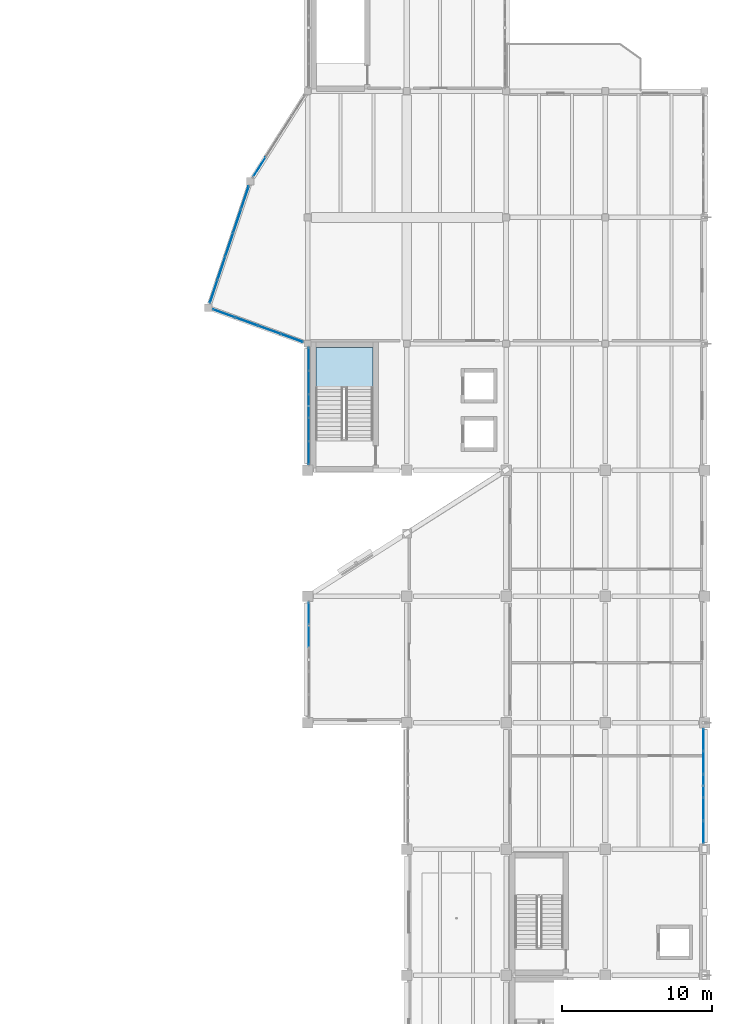
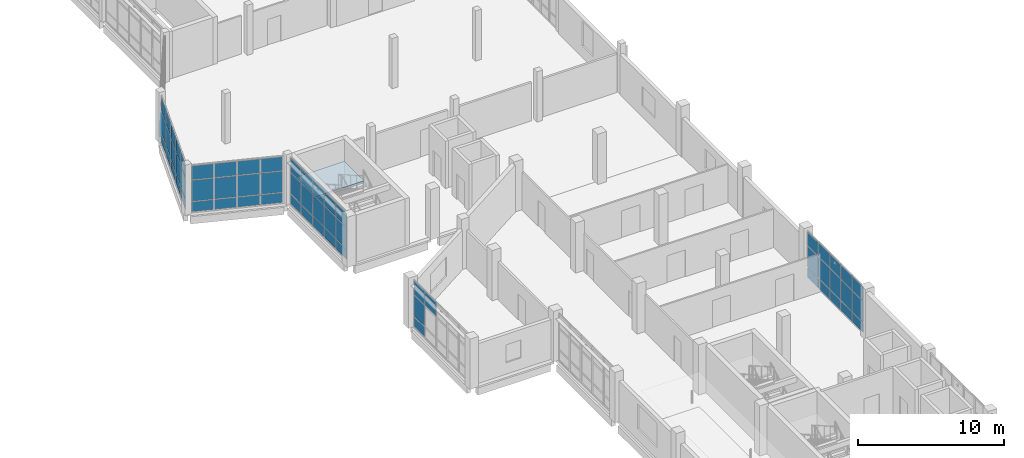
# One storey, part 39 of 74: 62 plates, 1 slab, 7 elements without a shape of their own.
"""IFC4 building model written with IfcOpenShell, lengths in metres."""

from ifc_helpers import new_model, si_unit, direction, frame, origin, origin_2d, place, context, subcontext, project, spatial, polyline, rectangle, outline, extrude, material, layer, layer_set, type_object, element, aggregate, save


model = new_model("IFC4")

# Units and contexts
model_context = context("Model", 3, precision=1e-05, world=origin(), true_north=direction((0.0, 1.0)))
body_context = subcontext(model_context, "Body", "Model", "MODEL_VIEW")
ifc_project = project(units=[si_unit("LENGTHUNIT", "METRE"), si_unit("AREAUNIT", "SQUARE_METRE"), si_unit("VOLUMEUNIT", "CUBIC_METRE"), si_unit("PLANEANGLEUNIT", "RADIAN"), si_unit("MASSUNIT", "GRAM", prefix="KILO")], contexts=[model_context])

# Site, building, storey
site_placement = place(None, origin())
site = spatial("IfcSite", under=ifc_project, at=site_placement, CompositionType="ELEMENT")
building_placement = place(site_placement, origin())
building = spatial("IfcBuilding", under=site, at=building_placement, Name="Qaldarim Faculty of Natural and Applied Sciences", CompositionType="ELEMENT")
storey_placement = place(building_placement, frame((0.0, 0.0, 14.39990234375)))
storey = spatial("IfcBuildingStorey", under=building, at=storey_placement, Name="L03", CompositionType="ELEMENT", Elevation=14.39990234375)

# Curtain wall, plates
ifc_material_1 = material(Name="Anodised aluminium AW-6063", Category="aluminium")
curtain_wall_type_1 = type_object("IfcCurtainWallType", Name="CurtainWallSystem-M1700", PredefinedType="USERDEFINED", material=ifc_material_1)
curtain_wall_1_placement = place(storey_placement, origin())
curtain_wall_1 = element("IfcCurtainWall", 1, at=curtain_wall_1_placement, inside=storey, type_object=curtain_wall_type_1, Name="Curtain wall CW-L03-W-X24Y06", ObjectType="UNITISED FACADE", PredefinedType="USERDEFINED")
ifc_material_2 = material(Name="Insulated low-e double glazing", Category="glass")
ifc_layer_1 = layer(ifc_material_2, 0.031982421875)
ifc_layer_set_1 = layer_set([ifc_layer_1], Name="Insulated low-e double glazing")
plate_type_1 = type_object("IfcPlateType", Name="SolarControlGlazingPanel-32", PredefinedType="CURTAIN_PANEL", material=ifc_layer_set_1)
plate_1_placement = place(storey_placement, frame((151.8798828125, 49.2666015625, 0.070068359375), z_axis=(0.0, 0.0, 1.0), x_axis=(0.0, -1.0, 0.0)))
plate_1 = element("IfcPlate", 2, at=plate_1_placement, type_object=plate_type_1, Name="Glazed panel 1-1 of CW-L03-W-X24Y06", PredefinedType="CURTAIN_PANEL", context=body_context, shape_type="SweptSolid", body=[
    extrude(rectangle(XDim=1.43701171875, YDim=0.031982421875, at=origin_2d()), origin(), (0.0, 0.0, 1.0), 0.794921875),
])
plate_2_placement = place(storey_placement, frame((151.8798828125, 49.2666015625, 0.93505859375), z_axis=(0.0, 0.0, 1.0), x_axis=(0.0, -1.0, 0.0)))
plate_2 = element("IfcPlate", 3, at=plate_2_placement, type_object=plate_type_1, Name="Glazed panel 1-2 of CW-L03-W-X24Y06", PredefinedType="CURTAIN_PANEL", context=body_context, shape_type="SweptSolid", body=[
    extrude(rectangle(XDim=1.43701171875, YDim=0.031982421875, at=origin_2d()), origin(), (0.0, 0.0, 1.0), 1.72998046875),
])
plate_3_placement = place(storey_placement, frame((151.8798828125, 49.2666015625, 2.73486328125), z_axis=(0.0, 0.0, 1.0), x_axis=(0.0, -1.0, 0.0)))
plate_3 = element("IfcPlate", 4, at=plate_3_placement, type_object=plate_type_1, Name="Glazed panel 1-3 of CW-L03-W-X24Y06", PredefinedType="CURTAIN_PANEL", context=body_context, shape_type="SweptSolid", body=[
    extrude(rectangle(XDim=1.43701171875, YDim=0.031982421875, at=origin_2d()), origin(), (0.0, 0.0, 1.0), 1.135009765625),
])
plate_4_placement = place(storey_placement, frame((151.8798828125, 47.741943359375, 2.73486328125), z_axis=(0.0, 0.0, 1.0), x_axis=(0.0, -1.0, 0.0)))
plate_4 = element("IfcPlate", 5, at=plate_4_placement, type_object=plate_type_1, Name="Glazed panel 2-3 of CW-L03-W-X24Y06", PredefinedType="CURTAIN_PANEL", context=body_context, shape_type="SweptSolid", body=[
    extrude(rectangle(XDim=1.471923828125, YDim=0.031982421875, at=origin_2d()), origin(), (0.0, 0.0, 1.0), 1.135009765625),
])
aggregate(curtain_wall_1, [plate_1, plate_2, plate_3, plate_4])

curtain_wall_2_placement = place(storey_placement, origin())
curtain_wall_2 = element("IfcCurtainWall", 6, at=curtain_wall_2_placement, inside=storey, type_object=curtain_wall_type_1, Name="Curtain wall CW-L03-E-X27Y05", ObjectType="UNITISED FACADE", PredefinedType="USERDEFINED")
plate_5_placement = place(storey_placement, frame((178.1201171875, 34.7333984375, 0.070068359375), z_axis=(0.0, 0.0, 1.0), x_axis=(0.0, 1.0, 0.0)))
plate_5 = element("IfcPlate", 7, at=plate_5_placement, type_object=plate_type_1, Name="Glazed panel 1-1 of CW-L03-E-X27Y05", PredefinedType="CURTAIN_PANEL", context=body_context, shape_type="SweptSolid", body=[
    extrude(rectangle(XDim=1.43701171875, YDim=0.031982421875, at=origin_2d()), origin(), (0.0, 0.0, 1.0), 0.794921875),
])
plate_6_placement = place(storey_placement, frame((178.1201171875, 34.7333984375, 0.93505859375), z_axis=(0.0, 0.0, 1.0), x_axis=(0.0, 1.0, 0.0)))
plate_6 = element("IfcPlate", 8, at=plate_6_placement, type_object=plate_type_1, Name="Glazed panel 1-2 of CW-L03-E-X27Y05", PredefinedType="CURTAIN_PANEL", context=body_context, shape_type="SweptSolid", body=[
    extrude(rectangle(XDim=1.43701171875, YDim=0.031982421875, at=origin_2d()), origin(), (0.0, 0.0, 1.0), 1.72998046875),
])
plate_7_placement = place(storey_placement, frame((178.1201171875, 34.7333984375, 2.73486328125), z_axis=(0.0, 0.0, 1.0), x_axis=(0.0, 1.0, 0.0)))
plate_7 = element("IfcPlate", 9, at=plate_7_placement, type_object=plate_type_1, Name="Glazed panel 1-3 of CW-L03-E-X27Y05", PredefinedType="CURTAIN_PANEL", context=body_context, shape_type="SweptSolid", body=[
    extrude(rectangle(XDim=1.43701171875, YDim=0.031982421875, at=origin_2d()), origin(), (0.0, 0.0, 1.0), 1.135009765625),
])
plate_8_placement = place(storey_placement, frame((178.1201171875, 36.258056640625, 0.070068359375), z_axis=(0.0, 0.0, 1.0), x_axis=(0.0, 1.0, 0.0)))
plate_8 = element("IfcPlate", 10, at=plate_8_placement, type_object=plate_type_1, Name="Glazed panel 2-1 of CW-L03-E-X27Y05", PredefinedType="CURTAIN_PANEL", context=body_context, shape_type="SweptSolid", body=[
    extrude(rectangle(XDim=1.471923828125, YDim=0.031982421875, at=origin_2d()), origin(), (0.0, 0.0, 1.0), 0.794921875),
])
plate_9_placement = place(storey_placement, frame((178.1201171875, 36.258056640625, 0.93505859375), z_axis=(0.0, 0.0, 1.0), x_axis=(0.0, 1.0, 0.0)))
plate_9 = element("IfcPlate", 11, at=plate_9_placement, type_object=plate_type_1, Name="Glazed panel 2-2 of CW-L03-E-X27Y05", PredefinedType="CURTAIN_PANEL", context=body_context, shape_type="SweptSolid", body=[
    extrude(rectangle(XDim=1.471923828125, YDim=0.031982421875, at=origin_2d()), origin(), (0.0, 0.0, 1.0), 1.72998046875),
])
plate_10_placement = place(storey_placement, frame((178.1201171875, 36.258056640625, 2.73486328125), z_axis=(0.0, 0.0, 1.0), x_axis=(0.0, 1.0, 0.0)))
plate_10 = element("IfcPlate", 12, at=plate_10_placement, type_object=plate_type_1, Name="Glazed panel 2-3 of CW-L03-E-X27Y05", PredefinedType="CURTAIN_PANEL", context=body_context, shape_type="SweptSolid", body=[
    extrude(rectangle(XDim=1.471923828125, YDim=0.031982421875, at=origin_2d()), origin(), (0.0, 0.0, 1.0), 1.135009765625),
])
plate_11_placement = place(storey_placement, frame((178.1201171875, 37.800048828125, 0.070068359375), z_axis=(0.0, 0.0, 1.0), x_axis=(0.0, 1.0, 0.0)))
plate_11 = element("IfcPlate", 13, at=plate_11_placement, type_object=plate_type_1, Name="Glazed panel 3-1 of CW-L03-E-X27Y05", PredefinedType="CURTAIN_PANEL", context=body_context, shape_type="SweptSolid", body=[
    extrude(rectangle(XDim=1.471923828125, YDim=0.031982421875, at=origin_2d()), origin(), (0.0, 0.0, 1.0), 0.794921875),
])
plate_12_placement = place(storey_placement, frame((178.1201171875, 37.800048828125, 0.93505859375), z_axis=(0.0, 0.0, 1.0), x_axis=(0.0, 1.0, 0.0)))
plate_12 = element("IfcPlate", 14, at=plate_12_placement, type_object=plate_type_1, Name="Glazed panel 3-2 of CW-L03-E-X27Y05", PredefinedType="CURTAIN_PANEL", context=body_context, shape_type="SweptSolid", body=[
    extrude(rectangle(XDim=1.471923828125, YDim=0.031982421875, at=origin_2d()), origin(), (0.0, 0.0, 1.0), 1.72998046875),
])
plate_13_placement = place(storey_placement, frame((178.1201171875, 37.800048828125, 2.73486328125), z_axis=(0.0, 0.0, 1.0), x_axis=(0.0, 1.0, 0.0)))
plate_13 = element("IfcPlate", 15, at=plate_13_placement, type_object=plate_type_1, Name="Glazed panel 3-3 of CW-L03-E-X27Y05", PredefinedType="CURTAIN_PANEL", context=body_context, shape_type="SweptSolid", body=[
    extrude(rectangle(XDim=1.471923828125, YDim=0.031982421875, at=origin_2d()), origin(), (0.0, 0.0, 1.0), 1.135009765625),
])
plate_14_placement = place(storey_placement, frame((178.1201171875, 39.342041015625, 0.070068359375), z_axis=(0.0, 0.0, 1.0), x_axis=(0.0, 1.0, 0.0)))
plate_14 = element("IfcPlate", 16, at=plate_14_placement, type_object=plate_type_1, Name="Glazed panel 4-1 of CW-L03-E-X27Y05", PredefinedType="CURTAIN_PANEL", context=body_context, shape_type="SweptSolid", body=[
    extrude(rectangle(XDim=1.471923828125, YDim=0.031982421875, at=origin_2d()), origin(), (0.0, 0.0, 1.0), 0.794921875),
])
plate_15_placement = place(storey_placement, frame((178.1201171875, 39.342041015625, 0.93505859375), z_axis=(0.0, 0.0, 1.0), x_axis=(0.0, 1.0, 0.0)))
plate_15 = element("IfcPlate", 17, at=plate_15_placement, type_object=plate_type_1, Name="Glazed panel 4-2 of CW-L03-E-X27Y05", PredefinedType="CURTAIN_PANEL", context=body_context, shape_type="SweptSolid", body=[
    extrude(rectangle(XDim=1.471923828125, YDim=0.031982421875, at=origin_2d()), origin(), (0.0, 0.0, 1.0), 1.72998046875),
])
plate_16_placement = place(storey_placement, frame((178.1201171875, 39.342041015625, 2.73486328125), z_axis=(0.0, 0.0, 1.0), x_axis=(0.0, 1.0, 0.0)))
plate_16 = element("IfcPlate", 18, at=plate_16_placement, type_object=plate_type_1, Name="Glazed panel 4-3 of CW-L03-E-X27Y05", PredefinedType="CURTAIN_PANEL", context=body_context, shape_type="SweptSolid", body=[
    extrude(rectangle(XDim=1.471923828125, YDim=0.031982421875, at=origin_2d()), origin(), (0.0, 0.0, 1.0), 1.135009765625),
])
plate_17_placement = place(storey_placement, frame((178.1201171875, 40.866455078125, 0.070068359375), z_axis=(0.0, 0.0, 1.0), x_axis=(0.0, 1.0, 0.0)))
plate_17 = element("IfcPlate", 19, at=plate_17_placement, type_object=plate_type_1, Name="Glazed panel 5-1 of CW-L03-E-X27Y05", PredefinedType="CURTAIN_PANEL", context=body_context, shape_type="SweptSolid", body=[
    extrude(rectangle(XDim=1.43701171875, YDim=0.031982421875, at=origin_2d()), origin(), (0.0, 0.0, 1.0), 0.794921875),
])
plate_18_placement = place(storey_placement, frame((178.1201171875, 40.866455078125, 0.93505859375), z_axis=(0.0, 0.0, 1.0), x_axis=(0.0, 1.0, 0.0)))
plate_18 = element("IfcPlate", 20, at=plate_18_placement, type_object=plate_type_1, Name="Glazed panel 5-2 of CW-L03-E-X27Y05", PredefinedType="CURTAIN_PANEL", context=body_context, shape_type="SweptSolid", body=[
    extrude(rectangle(XDim=1.43701171875, YDim=0.031982421875, at=origin_2d()), origin(), (0.0, 0.0, 1.0), 1.72998046875),
])
plate_19_placement = place(storey_placement, frame((178.1201171875, 40.866455078125, 2.73486328125), z_axis=(0.0, 0.0, 1.0), x_axis=(0.0, 1.0, 0.0)))
plate_19 = element("IfcPlate", 21, at=plate_19_placement, type_object=plate_type_1, Name="Glazed panel 5-3 of CW-L03-E-X27Y05", PredefinedType="CURTAIN_PANEL", context=body_context, shape_type="SweptSolid", body=[
    extrude(rectangle(XDim=1.43701171875, YDim=0.031982421875, at=origin_2d()), origin(), (0.0, 0.0, 1.0), 1.135009765625),
])
aggregate(curtain_wall_2, [plate_5, plate_6, plate_7, plate_8, plate_9, plate_10, plate_11, plate_12, plate_13, plate_14, plate_15, plate_16, plate_17, plate_18, plate_19])

# Stair, slab
ifc_material_3 = material(Name="Concrete C40/50", Category="concrete")
stair_type = type_object("IfcStairType", Name="DoglegStair-W1800-H4200-26R", PredefinedType="HALF_TURN_STAIR", material=ifc_material_3)
stair_placement = place(storey_placement, origin())
stair = element("IfcStair", 22, at=stair_placement, inside=storey, type_object=stair_type, Name="Enclosed exit stair ST-C1 L03", PredefinedType="HALF_TURN_STAIR")
ifc_layer_2 = layer(ifc_material_3, 0.2099609375)
ifc_layer_set_2 = layer_set([ifc_layer_2], Name="Concrete C40/50")
slab_type = type_object("IfcSlabType", Name="StairLandingSlab-210", PredefinedType="LANDING", material=ifc_layer_set_2)
slab_placement = place(storey_placement, frame((0.0, 0.0, 1.89013671875)))
slab = element("IfcSlab", 23, at=slab_placement, type_object=slab_type, Name="ST-C1 L03 half-landing 1", PredefinedType="LANDING", context=body_context, shape_type="SweptSolid", body=[
    extrude(outline(polyline([(156.14990234375, 64.2548828125), (156.14990234375, 66.949951171875), (152.35009765625, 66.949951171875), (152.35009765625, 64.2548828125), (156.14990234375, 64.2548828125)])), origin(), (0.0, 0.0, 1.0), 0.2099609375),
])
aggregate(stair, [slab])

# Curtain wall, plates
curtain_wall_type_2 = type_object("IfcCurtainWallType", Name="CurtainWallSystem-M1600", PredefinedType="USERDEFINED", material=ifc_material_1)
curtain_wall_3_placement = place(storey_placement, origin())
curtain_wall_3 = element("IfcCurtainWall", 24, at=curtain_wall_3_placement, inside=storey, type_object=curtain_wall_type_2, Name="Curtain wall CW-L03-W-X24Y08", ObjectType="UNITISED FACADE", PredefinedType="USERDEFINED")
ifc_layer_3 = layer(ifc_material_2, 0.028076171875)
ifc_layer_set_3 = layer_set([ifc_layer_3], Name="Insulated low-e double glazing")
plate_type_2 = type_object("IfcPlateType", Name="VisionGlazingPanel-28", PredefinedType="CURTAIN_PANEL", material=ifc_layer_set_3)
plate_20_placement = place(storey_placement, frame((151.8798828125, 66.181396484375, 0.06005859375), z_axis=(0.0, 0.0, 1.0), x_axis=(0.0, -1.0, 0.0)))
plate_20 = element("IfcPlate", 25, at=plate_20_placement, type_object=plate_type_2, Name="Glazed panel 1-1 of CW-L03-W-X24Y08", PredefinedType="CURTAIN_PANEL", context=body_context, shape_type="SweptSolid", body=[
    extrude(rectangle(XDim=1.47705078125, YDim=0.028076171875, at=origin_2d()), origin(), (0.0, 0.0, 1.0), 0.81005859375),
])
plate_21_placement = place(storey_placement, frame((151.8798828125, 66.181396484375, 0.93017578125), z_axis=(0.0, 0.0, 1.0), x_axis=(0.0, -1.0, 0.0)))
plate_21 = element("IfcPlate", 26, at=plate_21_placement, type_object=plate_type_2, Name="Glazed panel 1-2 of CW-L03-W-X24Y08", PredefinedType="CURTAIN_PANEL", context=body_context, shape_type="SweptSolid", body=[
    extrude(rectangle(XDim=1.47705078125, YDim=0.028076171875, at=origin_2d()), origin(), (0.0, 0.0, 1.0), 1.739990234375),
])
plate_22_placement = place(storey_placement, frame((151.8798828125, 66.181396484375, 2.730224609375), z_axis=(0.0, 0.0, 1.0), x_axis=(0.0, -1.0, 0.0)))
plate_22 = element("IfcPlate", 27, at=plate_22_placement, type_object=plate_type_2, Name="Glazed panel 1-3 of CW-L03-W-X24Y08", PredefinedType="CURTAIN_PANEL", context=body_context, shape_type="SweptSolid", body=[
    extrude(rectangle(XDim=1.47705078125, YDim=0.028076171875, at=origin_2d()), origin(), (0.0, 0.0, 1.0), 1.14990234375),
])
plate_23_placement = place(storey_placement, frame((151.8798828125, 64.62939453125, 0.06005859375), z_axis=(0.0, 0.0, 1.0), x_axis=(0.0, -1.0, 0.0)))
plate_23 = element("IfcPlate", 28, at=plate_23_placement, type_object=plate_type_2, Name="Glazed panel 2-1 of CW-L03-W-X24Y08", PredefinedType="CURTAIN_PANEL", context=body_context, shape_type="SweptSolid", body=[
    extrude(rectangle(XDim=1.507080078125, YDim=0.028076171875, at=origin_2d()), origin(), (0.0, 0.0, 1.0), 0.81005859375),
])
plate_24_placement = place(storey_placement, frame((151.8798828125, 64.62939453125, 0.93017578125), z_axis=(0.0, 0.0, 1.0), x_axis=(0.0, -1.0, 0.0)))
plate_24 = element("IfcPlate", 29, at=plate_24_placement, type_object=plate_type_2, Name="Glazed panel 2-2 of CW-L03-W-X24Y08", PredefinedType="CURTAIN_PANEL", context=body_context, shape_type="SweptSolid", body=[
    extrude(rectangle(XDim=1.507080078125, YDim=0.028076171875, at=origin_2d()), origin(), (0.0, 0.0, 1.0), 1.739990234375),
])
plate_25_placement = place(storey_placement, frame((151.8798828125, 64.62939453125, 2.730224609375), z_axis=(0.0, 0.0, 1.0), x_axis=(0.0, -1.0, 0.0)))
plate_25 = element("IfcPlate", 30, at=plate_25_placement, type_object=plate_type_2, Name="Glazed panel 2-3 of CW-L03-W-X24Y08", PredefinedType="CURTAIN_PANEL", context=body_context, shape_type="SweptSolid", body=[
    extrude(rectangle(XDim=1.507080078125, YDim=0.028076171875, at=origin_2d()), origin(), (0.0, 0.0, 1.0), 1.14990234375),
])
plate_26_placement = place(storey_placement, frame((151.8798828125, 63.0625, 0.06005859375), z_axis=(0.0, 0.0, 1.0), x_axis=(0.0, -1.0, 0.0)))
plate_26 = element("IfcPlate", 31, at=plate_26_placement, type_object=plate_type_2, Name="Glazed panel 3-1 of CW-L03-W-X24Y08", PredefinedType="CURTAIN_PANEL", context=body_context, shape_type="SweptSolid", body=[
    extrude(rectangle(XDim=1.507080078125, YDim=0.028076171875, at=origin_2d()), origin(), (0.0, 0.0, 1.0), 0.81005859375),
])
plate_27_placement = place(storey_placement, frame((151.8798828125, 63.0625, 0.93017578125), z_axis=(0.0, 0.0, 1.0), x_axis=(0.0, -1.0, 0.0)))
plate_27 = element("IfcPlate", 32, at=plate_27_placement, type_object=plate_type_2, Name="Glazed panel 3-2 of CW-L03-W-X24Y08", PredefinedType="CURTAIN_PANEL", context=body_context, shape_type="SweptSolid", body=[
    extrude(rectangle(XDim=1.507080078125, YDim=0.028076171875, at=origin_2d()), origin(), (0.0, 0.0, 1.0), 1.739990234375),
])
plate_28_placement = place(storey_placement, frame((151.8798828125, 63.0625, 2.730224609375), z_axis=(0.0, 0.0, 1.0), x_axis=(0.0, -1.0, 0.0)))
plate_28 = element("IfcPlate", 33, at=plate_28_placement, type_object=plate_type_2, Name="Glazed panel 3-3 of CW-L03-W-X24Y08", PredefinedType="CURTAIN_PANEL", context=body_context, shape_type="SweptSolid", body=[
    extrude(rectangle(XDim=1.507080078125, YDim=0.028076171875, at=origin_2d()), origin(), (0.0, 0.0, 1.0), 1.14990234375),
])
plate_29_placement = place(storey_placement, frame((151.8798828125, 61.49560546875, 0.06005859375), z_axis=(0.0, 0.0, 1.0), x_axis=(0.0, -1.0, 0.0)))
plate_29 = element("IfcPlate", 34, at=plate_29_placement, type_object=plate_type_2, Name="Glazed panel 4-1 of CW-L03-W-X24Y08", PredefinedType="CURTAIN_PANEL", context=body_context, shape_type="SweptSolid", body=[
    extrude(rectangle(XDim=1.507080078125, YDim=0.028076171875, at=origin_2d()), origin(), (0.0, 0.0, 1.0), 0.81005859375),
])
plate_30_placement = place(storey_placement, frame((151.8798828125, 61.49560546875, 0.93017578125), z_axis=(0.0, 0.0, 1.0), x_axis=(0.0, -1.0, 0.0)))
plate_30 = element("IfcPlate", 35, at=plate_30_placement, type_object=plate_type_2, Name="Glazed panel 4-2 of CW-L03-W-X24Y08", PredefinedType="CURTAIN_PANEL", context=body_context, shape_type="SweptSolid", body=[
    extrude(rectangle(XDim=1.507080078125, YDim=0.028076171875, at=origin_2d()), origin(), (0.0, 0.0, 1.0), 1.739990234375),
])
plate_31_placement = place(storey_placement, frame((151.8798828125, 61.49560546875, 2.730224609375), z_axis=(0.0, 0.0, 1.0), x_axis=(0.0, -1.0, 0.0)))
plate_31 = element("IfcPlate", 36, at=plate_31_placement, type_object=plate_type_2, Name="Glazed panel 4-3 of CW-L03-W-X24Y08", PredefinedType="CURTAIN_PANEL", context=body_context, shape_type="SweptSolid", body=[
    extrude(rectangle(XDim=1.507080078125, YDim=0.028076171875, at=origin_2d()), origin(), (0.0, 0.0, 1.0), 1.14990234375),
])
plate_32_placement = place(storey_placement, frame((151.8798828125, 59.943603515625, 0.06005859375), z_axis=(0.0, 0.0, 1.0), x_axis=(0.0, -1.0, 0.0)))
plate_32 = element("IfcPlate", 37, at=plate_32_placement, type_object=plate_type_2, Name="Glazed panel 5-1 of CW-L03-W-X24Y08", PredefinedType="CURTAIN_PANEL", context=body_context, shape_type="SweptSolid", body=[
    extrude(rectangle(XDim=1.47705078125, YDim=0.028076171875, at=origin_2d()), origin(), (0.0, 0.0, 1.0), 0.81005859375),
])
plate_33_placement = place(storey_placement, frame((151.8798828125, 59.943603515625, 0.93017578125), z_axis=(0.0, 0.0, 1.0), x_axis=(0.0, -1.0, 0.0)))
plate_33 = element("IfcPlate", 38, at=plate_33_placement, type_object=plate_type_2, Name="Glazed panel 5-2 of CW-L03-W-X24Y08", PredefinedType="CURTAIN_PANEL", context=body_context, shape_type="SweptSolid", body=[
    extrude(rectangle(XDim=1.47705078125, YDim=0.028076171875, at=origin_2d()), origin(), (0.0, 0.0, 1.0), 1.739990234375),
])
plate_34_placement = place(storey_placement, frame((151.8798828125, 59.943603515625, 2.730224609375), z_axis=(0.0, 0.0, 1.0), x_axis=(0.0, -1.0, 0.0)))
plate_34 = element("IfcPlate", 39, at=plate_34_placement, type_object=plate_type_2, Name="Glazed panel 5-3 of CW-L03-W-X24Y08", PredefinedType="CURTAIN_PANEL", context=body_context, shape_type="SweptSolid", body=[
    extrude(rectangle(XDim=1.47705078125, YDim=0.028076171875, at=origin_2d()), origin(), (0.0, 0.0, 1.0), 1.14990234375),
])
aggregate(curtain_wall_3, [plate_20, plate_21, plate_22, plate_23, plate_24, plate_25, plate_26, plate_27, plate_28, plate_29, plate_30, plate_31, plate_32, plate_33, plate_34])

# Curtain wall, plate
curtain_wall_4_placement = place(storey_placement, origin())
curtain_wall_4 = element("IfcCurtainWall", 40, at=curtain_wall_4_placement, inside=storey, type_object=curtain_wall_type_2, Name="Curtain wall CW-PROW-L03-1", ObjectType="UNITISED FACADE", PredefinedType="USERDEFINED")
plate_35_placement = place(storey_placement, frame((148.60302734375, 78.953857421875, 0.06005859375), z_axis=(0.0, 0.0, 1.0), x_axis=(-0.535384632481, -0.844608368004, 0.0)))
plate_35 = element("IfcPlate", 41, at=plate_35_placement, type_object=plate_type_2, Name="Glazed panel 4-1 of CW-PROW-L03-1", PredefinedType="CURTAIN_PANEL", context=body_context, shape_type="SweptSolid", body=[
    extrude(rectangle(XDim=1.534912109375, YDim=0.028076171875, at=origin_2d()), origin(), (0.0, 0.0, 1.0), 0.81005859375),
])
aggregate(curtain_wall_4, [plate_35])

# Curtain wall, plates
curtain_wall_5_placement = place(storey_placement, origin())
curtain_wall_5 = element("IfcCurtainWall", 42, at=curtain_wall_5_placement, inside=storey, type_object=curtain_wall_type_2, Name="Curtain wall CW-PROW-L03-2", ObjectType="UNITISED FACADE", PredefinedType="USERDEFINED")
plate_36_placement = place(storey_placement, frame((147.639404296875, 76.917724609375, 0.06005859375), z_axis=(0.0, 0.0, 1.0), x_axis=(-0.316228613389, -0.948683015593, 0.0)))
plate_36 = element("IfcPlate", 43, at=plate_36_placement, type_object=plate_type_2, Name="Glazed panel 1-1 of CW-PROW-L03-2", PredefinedType="CURTAIN_PANEL", context=body_context, shape_type="SweptSolid", body=[
    extrude(rectangle(XDim=1.560791015625, YDim=0.028076171875, at=origin_2d()), origin(), (0.0, 0.0, 1.0), 0.81005859375),
])
plate_37_placement = place(storey_placement, frame((147.639404296875, 76.917724609375, 0.93017578125), z_axis=(0.0, 0.0, 1.0), x_axis=(-0.316228613389, -0.948683015593, 0.0)))
plate_37 = element("IfcPlate", 44, at=plate_37_placement, type_object=plate_type_2, Name="Glazed panel 1-2 of CW-PROW-L03-2", PredefinedType="CURTAIN_PANEL", context=body_context, shape_type="SweptSolid", body=[
    extrude(rectangle(XDim=1.560791015625, YDim=0.028076171875, at=origin_2d()), origin(), (0.0, 0.0, 1.0), 1.739990234375),
])
plate_38_placement = place(storey_placement, frame((147.639404296875, 76.917724609375, 2.730224609375), z_axis=(0.0, 0.0, 1.0), x_axis=(-0.316228613389, -0.948683015593, 0.0)))
plate_38 = element("IfcPlate", 45, at=plate_38_placement, type_object=plate_type_2, Name="Glazed panel 1-3 of CW-PROW-L03-2", PredefinedType="CURTAIN_PANEL", context=body_context, shape_type="SweptSolid", body=[
    extrude(rectangle(XDim=1.560791015625, YDim=0.028076171875, at=origin_2d()), origin(), (0.0, 0.0, 1.0), 1.14990234375),
])
plate_39_placement = place(storey_placement, frame((147.1220703125, 75.365966796875, 0.06005859375), z_axis=(0.0, 0.0, 1.0), x_axis=(-0.316228613389, -0.948683015593, 0.0)))
plate_39 = element("IfcPlate", 46, at=plate_39_placement, type_object=plate_type_2, Name="Glazed panel 2-1 of CW-PROW-L03-2", PredefinedType="CURTAIN_PANEL", context=body_context, shape_type="SweptSolid", body=[
    extrude(rectangle(XDim=1.5908203125, YDim=0.028076171875, at=origin_2d()), origin(), (0.0, 0.0, 1.0), 0.81005859375),
])
plate_40_placement = place(storey_placement, frame((147.1220703125, 75.365966796875, 0.93017578125), z_axis=(0.0, 0.0, 1.0), x_axis=(-0.316228613389, -0.948683015593, 0.0)))
plate_40 = element("IfcPlate", 47, at=plate_40_placement, type_object=plate_type_2, Name="Glazed panel 2-2 of CW-PROW-L03-2", PredefinedType="CURTAIN_PANEL", context=body_context, shape_type="SweptSolid", body=[
    extrude(rectangle(XDim=1.5908203125, YDim=0.028076171875, at=origin_2d()), origin(), (0.0, 0.0, 1.0), 1.739990234375),
])
plate_41_placement = place(storey_placement, frame((147.1220703125, 75.365966796875, 2.730224609375), z_axis=(0.0, 0.0, 1.0), x_axis=(-0.316228613389, -0.948683015593, 0.0)))
plate_41 = element("IfcPlate", 48, at=plate_41_placement, type_object=plate_type_2, Name="Glazed panel 2-3 of CW-PROW-L03-2", PredefinedType="CURTAIN_PANEL", context=body_context, shape_type="SweptSolid", body=[
    extrude(rectangle(XDim=1.5908203125, YDim=0.028076171875, at=origin_2d()), origin(), (0.0, 0.0, 1.0), 1.14990234375),
])
plate_42_placement = place(storey_placement, frame((146.60009765625, 73.800048828125, 0.06005859375), z_axis=(0.0, 0.0, 1.0), x_axis=(-0.316228613389, -0.948683015593, 0.0)))
plate_42 = element("IfcPlate", 49, at=plate_42_placement, type_object=plate_type_2, Name="Glazed panel 3-1 of CW-PROW-L03-2", PredefinedType="CURTAIN_PANEL", context=body_context, shape_type="SweptSolid", body=[
    extrude(rectangle(XDim=1.5908203125, YDim=0.028076171875, at=origin_2d()), origin(), (0.0, 0.0, 1.0), 0.81005859375),
])
plate_43_placement = place(storey_placement, frame((146.60009765625, 73.800048828125, 0.93017578125), z_axis=(0.0, 0.0, 1.0), x_axis=(-0.316228613389, -0.948683015593, 0.0)))
plate_43 = element("IfcPlate", 50, at=plate_43_placement, type_object=plate_type_2, Name="Glazed panel 3-2 of CW-PROW-L03-2", PredefinedType="CURTAIN_PANEL", context=body_context, shape_type="SweptSolid", body=[
    extrude(rectangle(XDim=1.5908203125, YDim=0.028076171875, at=origin_2d()), origin(), (0.0, 0.0, 1.0), 1.739990234375),
])
plate_44_placement = place(storey_placement, frame((146.60009765625, 73.800048828125, 2.730224609375), z_axis=(0.0, 0.0, 1.0), x_axis=(-0.316228613389, -0.948683015593, 0.0)))
plate_44 = element("IfcPlate", 51, at=plate_44_placement, type_object=plate_type_2, Name="Glazed panel 3-3 of CW-PROW-L03-2", PredefinedType="CURTAIN_PANEL", context=body_context, shape_type="SweptSolid", body=[
    extrude(rectangle(XDim=1.5908203125, YDim=0.028076171875, at=origin_2d()), origin(), (0.0, 0.0, 1.0), 1.14990234375),
])
plate_45_placement = place(storey_placement, frame((146.077880859375, 72.23388671875, 0.06005859375), z_axis=(0.0, 0.0, 1.0), x_axis=(-0.316228613389, -0.948683015593, 0.0)))
plate_45 = element("IfcPlate", 52, at=plate_45_placement, type_object=plate_type_2, Name="Glazed panel 4-1 of CW-PROW-L03-2", PredefinedType="CURTAIN_PANEL", context=body_context, shape_type="SweptSolid", body=[
    extrude(rectangle(XDim=1.5908203125, YDim=0.028076171875, at=origin_2d()), origin(), (0.0, 0.0, 1.0), 0.81005859375),
])
plate_46_placement = place(storey_placement, frame((146.077880859375, 72.23388671875, 0.93017578125), z_axis=(0.0, 0.0, 1.0), x_axis=(-0.316228613389, -0.948683015593, 0.0)))
plate_46 = element("IfcPlate", 53, at=plate_46_placement, type_object=plate_type_2, Name="Glazed panel 4-2 of CW-PROW-L03-2", PredefinedType="CURTAIN_PANEL", context=body_context, shape_type="SweptSolid", body=[
    extrude(rectangle(XDim=1.5908203125, YDim=0.028076171875, at=origin_2d()), origin(), (0.0, 0.0, 1.0), 1.739990234375),
])
plate_47_placement = place(storey_placement, frame((146.077880859375, 72.23388671875, 2.730224609375), z_axis=(0.0, 0.0, 1.0), x_axis=(-0.316228613389, -0.948683015593, 0.0)))
plate_47 = element("IfcPlate", 54, at=plate_47_placement, type_object=plate_type_2, Name="Glazed panel 4-3 of CW-PROW-L03-2", PredefinedType="CURTAIN_PANEL", context=body_context, shape_type="SweptSolid", body=[
    extrude(rectangle(XDim=1.5908203125, YDim=0.028076171875, at=origin_2d()), origin(), (0.0, 0.0, 1.0), 1.14990234375),
])
plate_48_placement = place(storey_placement, frame((145.560791015625, 70.68212890625, 0.06005859375), z_axis=(0.0, 0.0, 1.0), x_axis=(-0.316228613389, -0.948683015593, 0.0)))
plate_48 = element("IfcPlate", 55, at=plate_48_placement, type_object=plate_type_2, Name="Glazed panel 5-1 of CW-PROW-L03-2", PredefinedType="CURTAIN_PANEL", context=body_context, shape_type="SweptSolid", body=[
    extrude(rectangle(XDim=1.560791015625, YDim=0.028076171875, at=origin_2d()), origin(), (0.0, 0.0, 1.0), 0.81005859375),
])
plate_49_placement = place(storey_placement, frame((145.560791015625, 70.68212890625, 0.93017578125), z_axis=(0.0, 0.0, 1.0), x_axis=(-0.316228613389, -0.948683015593, 0.0)))
plate_49 = element("IfcPlate", 56, at=plate_49_placement, type_object=plate_type_2, Name="Glazed panel 5-2 of CW-PROW-L03-2", PredefinedType="CURTAIN_PANEL", context=body_context, shape_type="SweptSolid", body=[
    extrude(rectangle(XDim=1.560791015625, YDim=0.028076171875, at=origin_2d()), origin(), (0.0, 0.0, 1.0), 1.739990234375),
])
plate_50_placement = place(storey_placement, frame((145.560791015625, 70.68212890625, 2.730224609375), z_axis=(0.0, 0.0, 1.0), x_axis=(-0.316228613389, -0.948683015593, 0.0)))
plate_50 = element("IfcPlate", 57, at=plate_50_placement, type_object=plate_type_2, Name="Glazed panel 5-3 of CW-PROW-L03-2", PredefinedType="CURTAIN_PANEL", context=body_context, shape_type="SweptSolid", body=[
    extrude(rectangle(XDim=1.560791015625, YDim=0.028076171875, at=origin_2d()), origin(), (0.0, 0.0, 1.0), 1.14990234375),
])
aggregate(curtain_wall_5, [plate_36, plate_37, plate_38, plate_39, plate_40, plate_41, plate_42, plate_43, plate_44, plate_45, plate_46, plate_47, plate_48, plate_49, plate_50])

curtain_wall_6_placement = place(storey_placement, origin())
curtain_wall_6 = element("IfcCurtainWall", 58, at=curtain_wall_6_placement, inside=storey, type_object=curtain_wall_type_2, Name="Curtain wall CW-PROW-L03-3", ObjectType="UNITISED FACADE", PredefinedType="USERDEFINED")
plate_51_placement = place(storey_placement, frame((146.2490234375, 69.216064453125, 0.06005859375), z_axis=(0.0, 0.0, 1.0), x_axis=(0.94010977581, -0.340871837244, 0.0)))
plate_51 = element("IfcPlate", 59, at=plate_51_placement, type_object=plate_type_2, Name="Glazed panel 1-1 of CW-PROW-L03-3", PredefinedType="CURTAIN_PANEL", context=body_context, shape_type="SweptSolid", body=[
    extrude(rectangle(XDim=1.51611328125, YDim=0.028076171875, at=origin_2d()), origin(), (0.0, 0.0, 1.0), 0.81005859375),
])
plate_52_placement = place(storey_placement, frame((146.2490234375, 69.216064453125, 0.93017578125), z_axis=(0.0, 0.0, 1.0), x_axis=(0.94010977581, -0.340871837244, 0.0)))
plate_52 = element("IfcPlate", 60, at=plate_52_placement, type_object=plate_type_2, Name="Glazed panel 1-2 of CW-PROW-L03-3", PredefinedType="CURTAIN_PANEL", context=body_context, shape_type="SweptSolid", body=[
    extrude(rectangle(XDim=1.51611328125, YDim=0.028076171875, at=origin_2d()), origin(), (0.0, 0.0, 1.0), 1.739990234375),
])
plate_53_placement = place(storey_placement, frame((146.2490234375, 69.216064453125, 2.730224609375), z_axis=(0.0, 0.0, 1.0), x_axis=(0.94010977581, -0.340871837244, 0.0)))
plate_53 = element("IfcPlate", 61, at=plate_53_placement, type_object=plate_type_2, Name="Glazed panel 1-3 of CW-PROW-L03-3", PredefinedType="CURTAIN_PANEL", context=body_context, shape_type="SweptSolid", body=[
    extrude(rectangle(XDim=1.51611328125, YDim=0.028076171875, at=origin_2d()), origin(), (0.0, 0.0, 1.0), 1.14990234375),
])
plate_54_placement = place(storey_placement, frame((147.7451171875, 68.673583984375, 0.06005859375), z_axis=(0.0, 0.0, 1.0), x_axis=(0.94010977581, -0.340871837244, 0.0)))
plate_54 = element("IfcPlate", 62, at=plate_54_placement, type_object=plate_type_2, Name="Glazed panel 2-1 of CW-PROW-L03-3", PredefinedType="CURTAIN_PANEL", context=body_context, shape_type="SweptSolid", body=[
    extrude(rectangle(XDim=1.546142578125, YDim=0.028076171875, at=origin_2d()), origin(), (0.0, 0.0, 1.0), 0.81005859375),
])
plate_55_placement = place(storey_placement, frame((147.7451171875, 68.673583984375, 0.93017578125), z_axis=(0.0, 0.0, 1.0), x_axis=(0.94010977581, -0.340871837244, 0.0)))
plate_55 = element("IfcPlate", 63, at=plate_55_placement, type_object=plate_type_2, Name="Glazed panel 2-2 of CW-PROW-L03-3", PredefinedType="CURTAIN_PANEL", context=body_context, shape_type="SweptSolid", body=[
    extrude(rectangle(XDim=1.546142578125, YDim=0.028076171875, at=origin_2d()), origin(), (0.0, 0.0, 1.0), 1.739990234375),
])
plate_56_placement = place(storey_placement, frame((147.7451171875, 68.673583984375, 2.730224609375), z_axis=(0.0, 0.0, 1.0), x_axis=(0.94010977581, -0.340871837244, 0.0)))
plate_56 = element("IfcPlate", 64, at=plate_56_placement, type_object=plate_type_2, Name="Glazed panel 2-3 of CW-PROW-L03-3", PredefinedType="CURTAIN_PANEL", context=body_context, shape_type="SweptSolid", body=[
    extrude(rectangle(XDim=1.546142578125, YDim=0.028076171875, at=origin_2d()), origin(), (0.0, 0.0, 1.0), 1.14990234375),
])
plate_57_placement = place(storey_placement, frame((149.2548828125, 68.126220703125, 0.06005859375), z_axis=(0.0, 0.0, 1.0), x_axis=(0.94010977581, -0.340871837244, 0.0)))
plate_57 = element("IfcPlate", 65, at=plate_57_placement, type_object=plate_type_2, Name="Glazed panel 3-1 of CW-PROW-L03-3", PredefinedType="CURTAIN_PANEL", context=body_context, shape_type="SweptSolid", body=[
    extrude(rectangle(XDim=1.546142578125, YDim=0.028076171875, at=origin_2d()), origin(), (0.0, 0.0, 1.0), 0.81005859375),
])
plate_58_placement = place(storey_placement, frame((149.2548828125, 68.126220703125, 0.93017578125), z_axis=(0.0, 0.0, 1.0), x_axis=(0.94010977581, -0.340871837244, 0.0)))
plate_58 = element("IfcPlate", 66, at=plate_58_placement, type_object=plate_type_2, Name="Glazed panel 3-2 of CW-PROW-L03-3", PredefinedType="CURTAIN_PANEL", context=body_context, shape_type="SweptSolid", body=[
    extrude(rectangle(XDim=1.546142578125, YDim=0.028076171875, at=origin_2d()), origin(), (0.0, 0.0, 1.0), 1.739990234375),
])
plate_59_placement = place(storey_placement, frame((149.2548828125, 68.126220703125, 2.730224609375), z_axis=(0.0, 0.0, 1.0), x_axis=(0.94010977581, -0.340871837244, 0.0)))
plate_59 = element("IfcPlate", 67, at=plate_59_placement, type_object=plate_type_2, Name="Glazed panel 3-3 of CW-PROW-L03-3", PredefinedType="CURTAIN_PANEL", context=body_context, shape_type="SweptSolid", body=[
    extrude(rectangle(XDim=1.546142578125, YDim=0.028076171875, at=origin_2d()), origin(), (0.0, 0.0, 1.0), 1.14990234375),
])
plate_60_placement = place(storey_placement, frame((150.7509765625, 67.583984375, 0.06005859375), z_axis=(0.0, 0.0, 1.0), x_axis=(0.94010977581, -0.340871837244, 0.0)))
plate_60 = element("IfcPlate", 68, at=plate_60_placement, type_object=plate_type_2, Name="Glazed panel 4-1 of CW-PROW-L03-3", PredefinedType="CURTAIN_PANEL", context=body_context, shape_type="SweptSolid", body=[
    extrude(rectangle(XDim=1.51611328125, YDim=0.028076171875, at=origin_2d()), origin(), (0.0, 0.0, 1.0), 0.81005859375),
])
plate_61_placement = place(storey_placement, frame((150.7509765625, 67.583984375, 0.93017578125), z_axis=(0.0, 0.0, 1.0), x_axis=(0.94010977581, -0.340871837244, 0.0)))
plate_61 = element("IfcPlate", 69, at=plate_61_placement, type_object=plate_type_2, Name="Glazed panel 4-2 of CW-PROW-L03-3", PredefinedType="CURTAIN_PANEL", context=body_context, shape_type="SweptSolid", body=[
    extrude(rectangle(XDim=1.51611328125, YDim=0.028076171875, at=origin_2d()), origin(), (0.0, 0.0, 1.0), 1.739990234375),
])
plate_62_placement = place(storey_placement, frame((150.7509765625, 67.583984375, 2.730224609375), z_axis=(0.0, 0.0, 1.0), x_axis=(0.94010977581, -0.340871837244, 0.0)))
plate_62 = element("IfcPlate", 70, at=plate_62_placement, type_object=plate_type_2, Name="Glazed panel 4-3 of CW-PROW-L03-3", PredefinedType="CURTAIN_PANEL", context=body_context, shape_type="SweptSolid", body=[
    extrude(rectangle(XDim=1.51611328125, YDim=0.028076171875, at=origin_2d()), origin(), (0.0, 0.0, 1.0), 1.14990234375),
])
aggregate(curtain_wall_6, [plate_51, plate_52, plate_53, plate_54, plate_55, plate_56, plate_57, plate_58, plate_59, plate_60, plate_61, plate_62])

save(model, "model.ifc")
